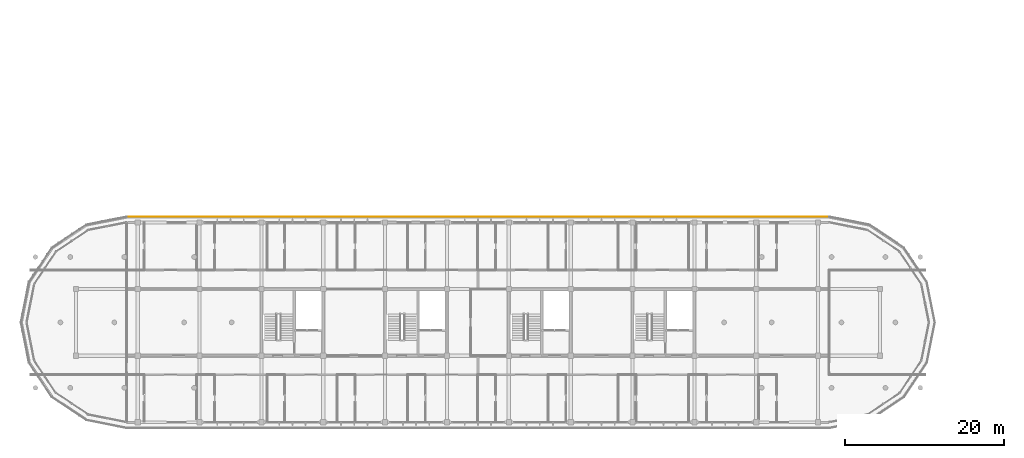
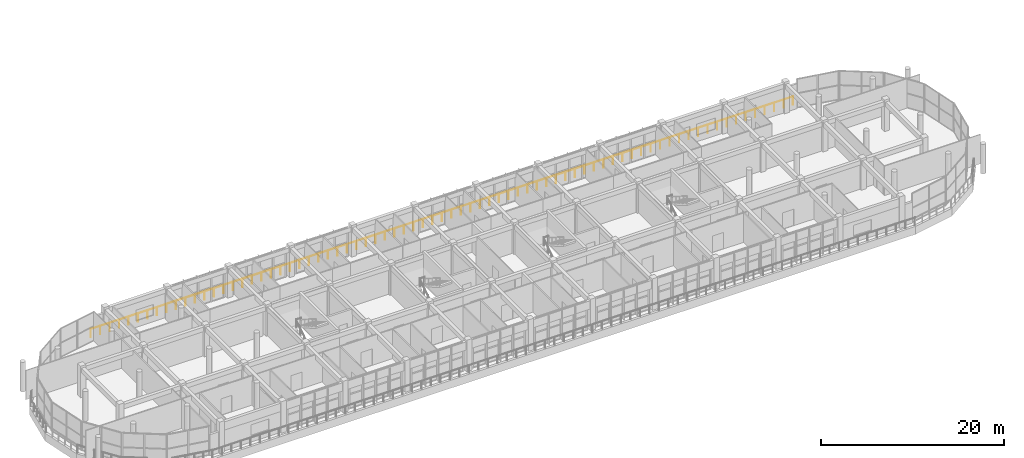
# One storey, part 56 of 57: 1 railing.
"""IFC4 building model written with IfcOpenShell, lengths in metres."""

from ifc_helpers import new_model, si_unit, direction, frame, origin, origin_2d, place, context, subcontext, project, spatial, circle, hollow_circle, extrude, material, material_profile, profile_set, type_object, element, save


model = new_model("IFC4")

# Units and contexts
model_context = context("Model", 3, precision=1e-05, world=origin(), true_north=direction((0.0, 1.0)))
body_context = subcontext(model_context, "Body", "Model", "MODEL_VIEW")
ifc_project = project(units=[si_unit("LENGTHUNIT", "METRE"), si_unit("AREAUNIT", "SQUARE_METRE"), si_unit("VOLUMEUNIT", "CUBIC_METRE"), si_unit("PLANEANGLEUNIT", "RADIAN"), si_unit("MASSUNIT", "GRAM", prefix="KILO")], contexts=[model_context])

# Site, building, storey
site_placement = place(None, origin())
site = spatial("IfcSite", under=ifc_project, at=site_placement, CompositionType="ELEMENT")
building_placement = place(site_placement, origin())
building = spatial("IfcBuilding", under=site, at=building_placement, Name="Zizhar Promenade General Hospital", CompositionType="ELEMENT")
storey_placement = place(building_placement, frame((0.0, 0.0, 22.199951171875)))
storey = spatial("IfcBuildingStorey", under=building, at=storey_placement, Name="L05", CompositionType="ELEMENT", Elevation=22.199951171875)

# Railing
ifc_material = material(Name="Anodised aluminium 6063-T6", Category="aluminium")
ifc_material_profile = material_profile(ifc_material, hollow_circle(Radius=0.06982421875, WallThickness=0.00634765625, at=origin_2d()))
ifc_profile_set = profile_set([ifc_material_profile], Name="Anodised aluminium 6063-T6")
railing_type = type_object("IfcRailingType", Name="RL-GUARD-TERR-1100", PredefinedType="GUARDRAIL", material=ifc_profile_set)
railing_placement = place(storey_placement, frame((118.39990234375, 25.919921875, 0.0)))
element("IfcRailing", 1, at=railing_placement, inside=storey, type_object=railing_type, Name="Perimeter Safety Guardrail L05-09", PredefinedType="GUARDRAIL", context=body_context, shape_type="SweptSolid", body=[
    extrude(circle(Radius=0.02392578125, at=origin_2d()), frame((0.0, 0.0, 1.09619140625), z_axis=(-1.0, 0.0, 0.0), x_axis=(0.0, -1.0, 0.0)), (0.0, 0.0, 1.0), 88.599853515625),
    extrude(circle(Radius=0.02099609375, at=origin_2d()), origin(), (0.0, 0.0, 1.0), 1.072021484375),
    extrude(circle(Radius=0.02099609375, at=origin_2d()), frame((-1.197265625, 0.0, 0.0)), (0.0, 0.0, 1.0), 1.072021484375),
    extrude(circle(Radius=0.02099609375, at=origin_2d()), frame((-2.39453125, 0.0, 0.0)), (0.0, 0.0, 1.0), 1.072021484375),
    extrude(circle(Radius=0.02099609375, at=origin_2d()), frame((-3.591796875, 0.0, 0.0)), (0.0, 0.0, 1.0), 1.072021484375),
    extrude(circle(Radius=0.02099609375, at=origin_2d()), frame((-4.7890625, 0.0, 0.0)), (0.0, 0.0, 1.0), 1.072021484375),
    extrude(circle(Radius=0.02099609375, at=origin_2d()), frame((-5.986572265625, 0.0, 0.0)), (0.0, 0.0, 1.0), 1.072021484375),
    extrude(circle(Radius=0.02099609375, at=origin_2d()), frame((-7.183837890625, 0.0, 0.0)), (0.0, 0.0, 1.0), 1.072021484375),
    extrude(circle(Radius=0.02099609375, at=origin_2d()), frame((-8.381103515625, 0.0, 0.0)), (0.0, 0.0, 1.0), 1.072021484375),
    extrude(circle(Radius=0.02099609375, at=origin_2d()), frame((-9.578369140625, 0.0, 0.0)), (0.0, 0.0, 1.0), 1.072021484375),
    extrude(circle(Radius=0.02099609375, at=origin_2d()), frame((-10.775634765625, 0.0, 0.0)), (0.0, 0.0, 1.0), 1.072021484375),
    extrude(circle(Radius=0.02099609375, at=origin_2d()), frame((-11.972900390625, 0.0, 0.0)), (0.0, 0.0, 1.0), 1.072021484375),
    extrude(circle(Radius=0.02099609375, at=origin_2d()), frame((-13.170166015625, 0.0, 0.0)), (0.0, 0.0, 1.0), 1.072021484375),
    extrude(circle(Radius=0.02099609375, at=origin_2d()), frame((-14.367431640625, 0.0, 0.0)), (0.0, 0.0, 1.0), 1.072021484375),
    extrude(circle(Radius=0.02099609375, at=origin_2d()), frame((-15.56494140625, 0.0, 0.0)), (0.0, 0.0, 1.0), 1.072021484375),
    extrude(circle(Radius=0.02099609375, at=origin_2d()), frame((-16.76220703125, 0.0, 0.0)), (0.0, 0.0, 1.0), 1.072021484375),
    extrude(circle(Radius=0.02099609375, at=origin_2d()), frame((-17.95947265625, 0.0, 0.0)), (0.0, 0.0, 1.0), 1.072021484375),
    extrude(circle(Radius=0.02099609375, at=origin_2d()), frame((-19.15673828125, 0.0, 0.0)), (0.0, 0.0, 1.0), 1.072021484375),
    extrude(circle(Radius=0.02099609375, at=origin_2d()), frame((-20.35400390625, 0.0, 0.0)), (0.0, 0.0, 1.0), 1.072021484375),
    extrude(circle(Radius=0.02099609375, at=origin_2d()), frame((-21.55126953125, 0.0, 0.0)), (0.0, 0.0, 1.0), 1.072021484375),
    extrude(circle(Radius=0.02099609375, at=origin_2d()), frame((-22.74853515625, 0.0, 0.0)), (0.0, 0.0, 1.0), 1.072021484375),
    extrude(circle(Radius=0.02099609375, at=origin_2d()), frame((-23.94580078125, 0.0, 0.0)), (0.0, 0.0, 1.0), 1.072021484375),
    extrude(circle(Radius=0.02099609375, at=origin_2d()), frame((-25.143310546875, 0.0, 0.0)), (0.0, 0.0, 1.0), 1.072021484375),
    extrude(circle(Radius=0.02099609375, at=origin_2d()), frame((-26.340576171875, 0.0, 0.0)), (0.0, 0.0, 1.0), 1.072021484375),
    extrude(circle(Radius=0.02099609375, at=origin_2d()), frame((-27.537841796875, 0.0, 0.0)), (0.0, 0.0, 1.0), 1.072021484375),
    extrude(circle(Radius=0.02099609375, at=origin_2d()), frame((-28.735107421875, 0.0, 0.0)), (0.0, 0.0, 1.0), 1.072021484375),
    extrude(circle(Radius=0.02099609375, at=origin_2d()), frame((-29.932373046875, 0.0, 0.0)), (0.0, 0.0, 1.0), 1.072021484375),
    extrude(circle(Radius=0.02099609375, at=origin_2d()), frame((-31.129638671875, 0.0, 0.0)), (0.0, 0.0, 1.0), 1.072021484375),
    extrude(circle(Radius=0.02099609375, at=origin_2d()), frame((-32.326904296875, 0.0, 0.0)), (0.0, 0.0, 1.0), 1.072021484375),
    extrude(circle(Radius=0.02099609375, at=origin_2d()), frame((-33.524169921875, 0.0, 0.0)), (0.0, 0.0, 1.0), 1.072021484375),
    extrude(circle(Radius=0.02099609375, at=origin_2d()), frame((-34.7216796875, 0.0, 0.0)), (0.0, 0.0, 1.0), 1.072021484375),
    extrude(circle(Radius=0.02099609375, at=origin_2d()), frame((-35.9189453125, 0.0, 0.0)), (0.0, 0.0, 1.0), 1.072021484375),
    extrude(circle(Radius=0.02099609375, at=origin_2d()), frame((-37.1162109375, 0.0, 0.0)), (0.0, 0.0, 1.0), 1.072021484375),
    extrude(circle(Radius=0.02099609375, at=origin_2d()), frame((-38.3134765625, 0.0, 0.0)), (0.0, 0.0, 1.0), 1.072021484375),
    extrude(circle(Radius=0.02099609375, at=origin_2d()), frame((-39.5107421875, 0.0, 0.0)), (0.0, 0.0, 1.0), 1.072021484375),
    extrude(circle(Radius=0.02099609375, at=origin_2d()), frame((-40.7080078125, 0.0, 0.0)), (0.0, 0.0, 1.0), 1.072021484375),
    extrude(circle(Radius=0.02099609375, at=origin_2d()), frame((-41.9052734375, 0.0, 0.0)), (0.0, 0.0, 1.0), 1.072021484375),
    extrude(circle(Radius=0.02099609375, at=origin_2d()), frame((-43.1025390625, 0.0, 0.0)), (0.0, 0.0, 1.0), 1.072021484375),
    extrude(circle(Radius=0.02099609375, at=origin_2d()), frame((-44.2998046875, 0.0, 0.0)), (0.0, 0.0, 1.0), 1.072021484375),
    extrude(circle(Radius=0.02099609375, at=origin_2d()), frame((-45.497314453125, 0.0, 0.0)), (0.0, 0.0, 1.0), 1.072021484375),
    extrude(circle(Radius=0.02099609375, at=origin_2d()), frame((-46.694580078125, 0.0, 0.0)), (0.0, 0.0, 1.0), 1.072021484375),
    extrude(circle(Radius=0.02099609375, at=origin_2d()), frame((-47.891845703125, 0.0, 0.0)), (0.0, 0.0, 1.0), 1.072021484375),
    extrude(circle(Radius=0.02099609375, at=origin_2d()), frame((-49.089111328125, 0.0, 0.0)), (0.0, 0.0, 1.0), 1.072021484375),
    extrude(circle(Radius=0.02099609375, at=origin_2d()), frame((-50.286376953125, 0.0, 0.0)), (0.0, 0.0, 1.0), 1.072021484375),
    extrude(circle(Radius=0.02099609375, at=origin_2d()), frame((-51.483642578125, 0.0, 0.0)), (0.0, 0.0, 1.0), 1.072021484375),
    extrude(circle(Radius=0.02099609375, at=origin_2d()), frame((-52.680908203125, 0.0, 0.0)), (0.0, 0.0, 1.0), 1.072021484375),
    extrude(circle(Radius=0.02099609375, at=origin_2d()), frame((-53.878173828125, 0.0, 0.0)), (0.0, 0.0, 1.0), 1.072021484375),
    extrude(circle(Radius=0.02099609375, at=origin_2d()), frame((-55.07568359375, 0.0, 0.0)), (0.0, 0.0, 1.0), 1.072021484375),
    extrude(circle(Radius=0.02099609375, at=origin_2d()), frame((-56.27294921875, 0.0, 0.0)), (0.0, 0.0, 1.0), 1.072021484375),
    extrude(circle(Radius=0.02099609375, at=origin_2d()), frame((-57.47021484375, 0.0, 0.0)), (0.0, 0.0, 1.0), 1.072021484375),
    extrude(circle(Radius=0.02099609375, at=origin_2d()), frame((-58.66748046875, 0.0, 0.0)), (0.0, 0.0, 1.0), 1.072021484375),
    extrude(circle(Radius=0.02099609375, at=origin_2d()), frame((-59.86474609375, 0.0, 0.0)), (0.0, 0.0, 1.0), 1.072021484375),
    extrude(circle(Radius=0.02099609375, at=origin_2d()), frame((-61.06201171875, 0.0, 0.0)), (0.0, 0.0, 1.0), 1.072021484375),
    extrude(circle(Radius=0.02099609375, at=origin_2d()), frame((-62.25927734375, 0.0, 0.0)), (0.0, 0.0, 1.0), 1.072021484375),
    extrude(circle(Radius=0.02099609375, at=origin_2d()), frame((-63.45654296875, 0.0, 0.0)), (0.0, 0.0, 1.0), 1.072021484375),
    extrude(circle(Radius=0.02099609375, at=origin_2d()), frame((-64.654052734375, 0.0, 0.0)), (0.0, 0.0, 1.0), 1.072021484375),
    extrude(circle(Radius=0.02099609375, at=origin_2d()), frame((-65.851318359375, 0.0, 0.0)), (0.0, 0.0, 1.0), 1.072021484375),
    extrude(circle(Radius=0.02099609375, at=origin_2d()), frame((-67.048583984375, 0.0, 0.0)), (0.0, 0.0, 1.0), 1.072021484375),
    extrude(circle(Radius=0.02099609375, at=origin_2d()), frame((-68.245849609375, 0.0, 0.0)), (0.0, 0.0, 1.0), 1.072021484375),
    extrude(circle(Radius=0.02099609375, at=origin_2d()), frame((-69.443115234375, 0.0, 0.0)), (0.0, 0.0, 1.0), 1.072021484375),
    extrude(circle(Radius=0.02099609375, at=origin_2d()), frame((-70.640380859375, 0.0, 0.0)), (0.0, 0.0, 1.0), 1.072021484375),
    extrude(circle(Radius=0.02099609375, at=origin_2d()), frame((-71.837646484375, 0.0, 0.0)), (0.0, 0.0, 1.0), 1.072021484375),
    extrude(circle(Radius=0.02099609375, at=origin_2d()), frame((-73.034912109375, 0.0, 0.0)), (0.0, 0.0, 1.0), 1.072021484375),
    extrude(circle(Radius=0.02099609375, at=origin_2d()), frame((-74.232421875, 0.0, 0.0)), (0.0, 0.0, 1.0), 1.072021484375),
    extrude(circle(Radius=0.02099609375, at=origin_2d()), frame((-75.4296875, 0.0, 0.0)), (0.0, 0.0, 1.0), 1.072021484375),
    extrude(circle(Radius=0.02099609375, at=origin_2d()), frame((-76.626953125, 0.0, 0.0)), (0.0, 0.0, 1.0), 1.072021484375),
    extrude(circle(Radius=0.02099609375, at=origin_2d()), frame((-77.82421875, 0.0, 0.0)), (0.0, 0.0, 1.0), 1.072021484375),
    extrude(circle(Radius=0.02099609375, at=origin_2d()), frame((-79.021484375, 0.0, 0.0)), (0.0, 0.0, 1.0), 1.072021484375),
    extrude(circle(Radius=0.02099609375, at=origin_2d()), frame((-80.21875, 0.0, 0.0)), (0.0, 0.0, 1.0), 1.072021484375),
    extrude(circle(Radius=0.02099609375, at=origin_2d()), frame((-81.416015625, 0.0, 0.0)), (0.0, 0.0, 1.0), 1.072021484375),
    extrude(circle(Radius=0.02099609375, at=origin_2d()), frame((-82.61328125, 0.0, 0.0)), (0.0, 0.0, 1.0), 1.072021484375),
    extrude(circle(Radius=0.02099609375, at=origin_2d()), frame((-83.810791015625, 0.0, 0.0)), (0.0, 0.0, 1.0), 1.072021484375),
    extrude(circle(Radius=0.02099609375, at=origin_2d()), frame((-85.008056640625, 0.0, 0.0)), (0.0, 0.0, 1.0), 1.072021484375),
    extrude(circle(Radius=0.02099609375, at=origin_2d()), frame((-86.205322265625, 0.0, 0.0)), (0.0, 0.0, 1.0), 1.072021484375),
    extrude(circle(Radius=0.02099609375, at=origin_2d()), frame((-87.402587890625, 0.0, 0.0)), (0.0, 0.0, 1.0), 1.072021484375),
    extrude(circle(Radius=0.02099609375, at=origin_2d()), frame((-88.599853515625, 0.0, 0.0)), (0.0, 0.0, 1.0), 1.072021484375),
])

save(model, "model.ifc")
